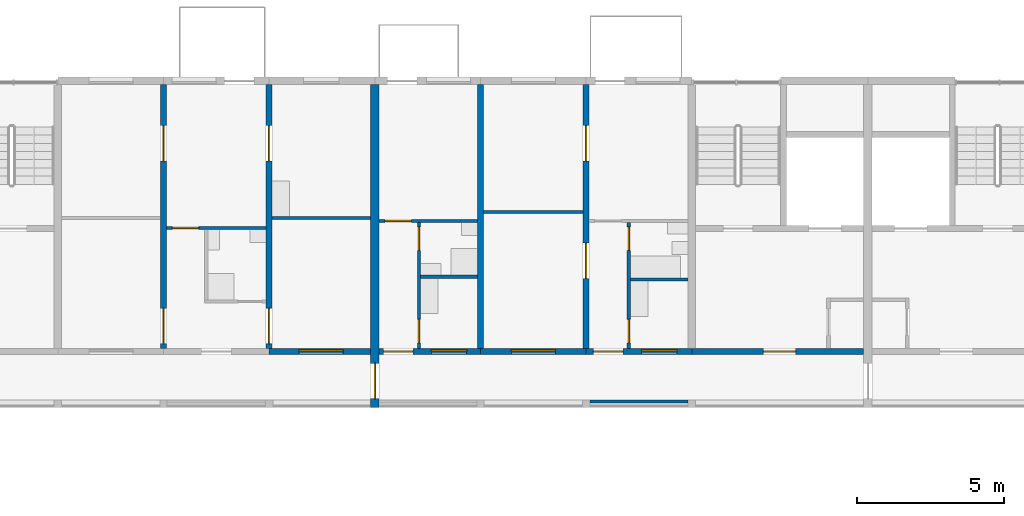
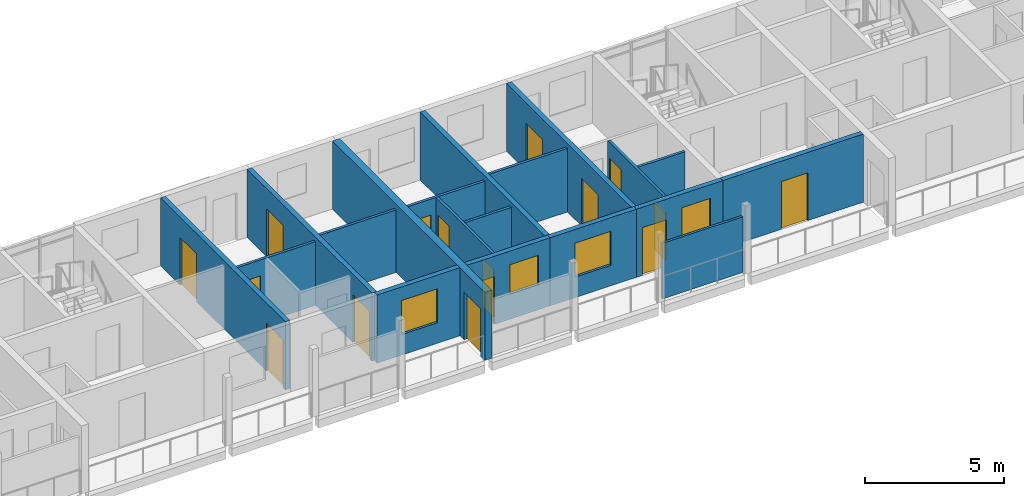
# One storey, part 56 of 93: 19 walls, 16 doors, 4 windows, 20 openings.
"""IFC4 building model written with IfcOpenShell, lengths in metres."""

from ifc_helpers import new_model, si_unit, direction, frame, frame_2d, origin, place, context, subcontext, project, spatial, rectangle, extrude, material, layer, layer_set, type_object, element, fill, save


model = new_model("IFC4")

# Units and contexts
model_context = context("Model", 3, precision=1e-05, world=origin(), true_north=direction((0.0, 1.0)))
body_context = subcontext(model_context, "Body", "Model", "MODEL_VIEW")
ifc_project = project(units=[si_unit("LENGTHUNIT", "METRE"), si_unit("AREAUNIT", "SQUARE_METRE"), si_unit("VOLUMEUNIT", "CUBIC_METRE"), si_unit("PLANEANGLEUNIT", "RADIAN"), si_unit("MASSUNIT", "GRAM", prefix="KILO")], contexts=[model_context])

# Site, building, storey
site_placement = place(None, origin())
site = spatial("IfcSite", under=ifc_project, at=site_placement, CompositionType="ELEMENT")
building_placement = place(site_placement, origin())
building = spatial("IfcBuilding", under=site, at=building_placement, Name="Ridgestep Commons", CompositionType="ELEMENT")
storey_placement = place(building_placement, frame((0.0, 0.0, 18.0)))
storey = spatial("IfcBuildingStorey", under=building, at=storey_placement, Name="L06", CompositionType="ELEMENT", Elevation=18.0)

# Wall, opening, door
ifc_material_1 = material(Name="Concrete C30/37", Category="concrete")
ifc_layer_1 = layer(ifc_material_1, 0.199951171875)
ifc_layer_set_1 = layer_set([ifc_layer_1], Name="Core south wall 200")
wall_type_1 = type_object("IfcWallType", Name="Core south wall 200", PredefinedType="SHEAR", material=ifc_layer_set_1)
wall_1_placement = place(storey_placement, frame((224.800048828125, 67.89990234375, 0.0), z_axis=(0.0, 0.0, 1.0), x_axis=(1.0, 0.0, 0.0)))
wall_1 = element("IfcWall", 1, at=wall_1_placement, inside=storey, type_object=wall_type_1, Name="Core south wall C5C L06", PredefinedType="SHEAR", context=body_context, shape_type="SweptSolid", body=[
    extrude(rectangle(XDim=5.849853515625, YDim=0.199951171875, at=frame_2d((2.9248046875, 0.0))), origin(), (0.0, 0.0, 1.0), 3.0),
])
opening_1_placement = place(wall_1_placement, frame((2.4375, 0.0, 0.0)))
opening_1 = element("IfcOpeningElement", 2, at=opening_1_placement, cuts=wall_1, Name="Opening C5C/06/1", PredefinedType="OPENING", context=body_context, shape_type="SweptSolid", body=[
    extrude(rectangle(XDim=1.10009765625, YDim=2.10009765625, at=frame_2d((0.550048828125, 1.050048828125))), frame((0.0, 0.10986328125, 0.0), z_axis=(0.0, -1.0, 0.0), x_axis=(1.0, 0.0, 0.0)), (0.0, 0.0, 1.0), 0.219970703125),
])
ifc_material_2 = material(Name="Steel fire door", Category="steel")
door_type_1 = type_object("IfcDoorType", Name="Lobby door 1100 x 2100 FD60", OperationType="NOTDEFINED", PredefinedType="DOOR", material=ifc_material_2)
door_1_placement = place(opening_1_placement, origin())
door_1 = element("IfcDoor", 3, at=door_1_placement, inside=storey, type_object=door_type_1, Name="Lobby door C5C/06/1", OperationType="SINGLE_SWING_LEFT", OverallHeight=2.10009765625, OverallWidth=1.10009765625, PredefinedType="DOOR", context=body_context, shape_type="SweptSolid", body=[
    extrude(rectangle(XDim=1.10009765625, YDim=2.10009765625, at=frame_2d((0.550048828125, 1.050048828125))), frame((0.0, 0.02490234375, 0.0), z_axis=(0.0, -1.0, 0.0), x_axis=(1.0, 0.0, 0.0)), (0.0, 0.0, 1.0), 0.050048828125),
])
fill(opening_1, door_1)

# Wall, openings, doors
ifc_material_3 = material(Name="Precast concrete C40/50", Category="concrete")
ifc_layer_2 = layer(ifc_material_3, 0.199951171875)
ifc_layer_set_2 = layer_set([ifc_layer_2], Name="Cross wall 200")
wall_type_2 = type_object("IfcWallType", Name="Cross wall 200", PredefinedType="SHEAR", material=ifc_layer_set_2)
wall_2_placement = place(storey_placement, frame((206.800048828125, 68.0, 0.0), z_axis=(0.0, 0.0, 1.0), x_axis=(0.0, 1.0, 0.0)))
wall_2 = element("IfcWall", 4, at=wall_2_placement, inside=storey, type_object=wall_type_2, Name="Cross wall C-06-2068", PredefinedType="SHEAR", context=body_context, shape_type="SweptSolid", body=[
    extrude(rectangle(XDim=9.0, YDim=0.199951171875, at=frame_2d((4.5, 0.0))), origin(), (0.0, 0.0, 1.0), 3.0),
])
opening_2_placement = place(wall_2_placement, frame((0.175048828125, 0.0, 0.0)))
opening_2 = element("IfcOpeningElement", 5, at=opening_2_placement, cuts=wall_2, Name="Opening C4-06a/4", PredefinedType="OPENING", context=body_context, shape_type="SweptSolid", body=[
    extrude(rectangle(XDim=1.199951171875, YDim=2.10009765625, at=frame_2d((0.60009765625, 1.050048828125))), frame((0.0, 0.10986328125, 0.0), z_axis=(0.0, -1.0, 0.0), x_axis=(1.0, 0.0, 0.0)), (0.0, 0.0, 1.0), 0.219970703125),
])
opening_3_placement = place(wall_2_placement, frame((6.39990234375, 0.0, 0.0)))
opening_3 = element("IfcOpeningElement", 6, at=opening_3_placement, cuts=wall_2, Name="Opening C4-06a/5", PredefinedType="OPENING", context=body_context, shape_type="SweptSolid", body=[
    extrude(rectangle(XDim=1.199951171875, YDim=2.10009765625, at=frame_2d((0.60009765625, 1.050048828125))), frame((0.0, 0.10986328125, 0.0), z_axis=(0.0, -1.0, 0.0), x_axis=(1.0, 0.0, 0.0)), (0.0, 0.0, 1.0), 0.219970703125),
])
ifc_material_4 = material(Name="Timber door leaf", Category="wood")
door_type_2 = type_object("IfcDoorType", Name="Double door 1200 x 2100", OperationType="DOUBLE_DOOR_SINGLE_SWING", PredefinedType="DOOR", material=ifc_material_4)
door_2_placement = place(opening_2_placement, origin())
door_2 = element("IfcDoor", 7, at=door_2_placement, inside=storey, type_object=door_type_2, Name="Double door C4-06a/4", OperationType="DOUBLE_DOOR_SINGLE_SWING", OverallHeight=2.10009765625, OverallWidth=1.199951171875, PredefinedType="DOOR", context=body_context, shape_type="SweptSolid", body=[
    extrude(rectangle(XDim=1.199951171875, YDim=2.10009765625, at=frame_2d((0.60009765625, 1.050048828125))), frame((0.0, 0.02490234375, 0.0), z_axis=(0.0, -1.0, 0.0), x_axis=(1.0, 0.0, 0.0)), (0.0, 0.0, 1.0), 0.050048828125),
])
fill(opening_2, door_2)
door_3_placement = place(opening_3_placement, origin())
door_3 = element("IfcDoor", 8, at=door_3_placement, inside=storey, type_object=door_type_2, Name="Double door C4-06a/5", OperationType="DOUBLE_DOOR_SINGLE_SWING", OverallHeight=2.10009765625, OverallWidth=1.199951171875, PredefinedType="DOOR", context=body_context, shape_type="SweptSolid", body=[
    extrude(rectangle(XDim=1.199951171875, YDim=2.10009765625, at=frame_2d((0.60009765625, 1.050048828125))), frame((0.0, 0.02490234375, 0.0), z_axis=(0.0, -1.0, 0.0), x_axis=(1.0, 0.0, 0.0)), (0.0, 0.0, 1.0), 0.050048828125),
])
fill(opening_3, door_3)

wall_3_placement = place(storey_placement, frame((210.39990234375, 68.0, 0.0), z_axis=(0.0, 0.0, 1.0), x_axis=(0.0, 1.0, 0.0)))
wall_3 = element("IfcWall", 9, at=wall_3_placement, inside=storey, type_object=wall_type_2, Name="Cross wall C-06-2104", PredefinedType="SHEAR", context=body_context, shape_type="SweptSolid", body=[
    extrude(rectangle(XDim=9.0, YDim=0.199951171875, at=frame_2d((4.5, 0.0))), origin(), (0.0, 0.0, 1.0), 3.0),
])
opening_4_placement = place(wall_3_placement, frame((0.175048828125, 0.0, 0.0)))
opening_4 = element("IfcOpeningElement", 10, at=opening_4_placement, cuts=wall_3, Name="Opening C4-06a/6", PredefinedType="OPENING", context=body_context, shape_type="SweptSolid", body=[
    extrude(rectangle(XDim=1.199951171875, YDim=2.10009765625, at=frame_2d((0.60009765625, 1.050048828125))), frame((0.0, 0.10986328125, 0.0), z_axis=(0.0, -1.0, 0.0), x_axis=(1.0, 0.0, 0.0)), (0.0, 0.0, 1.0), 0.219970703125),
])
opening_5_placement = place(wall_3_placement, frame((6.39990234375, 0.0, 0.0)))
opening_5 = element("IfcOpeningElement", 11, at=opening_5_placement, cuts=wall_3, Name="Opening C4-06a/7", PredefinedType="OPENING", context=body_context, shape_type="SweptSolid", body=[
    extrude(rectangle(XDim=1.199951171875, YDim=2.10009765625, at=frame_2d((0.60009765625, 1.050048828125))), frame((0.0, 0.10986328125, 0.0), z_axis=(0.0, -1.0, 0.0), x_axis=(1.0, 0.0, 0.0)), (0.0, 0.0, 1.0), 0.219970703125),
])
door_4_placement = place(opening_4_placement, origin())
door_4 = element("IfcDoor", 12, at=door_4_placement, inside=storey, type_object=door_type_2, Name="Double door C4-06a/6", OperationType="DOUBLE_DOOR_SINGLE_SWING", OverallHeight=2.10009765625, OverallWidth=1.199951171875, PredefinedType="DOOR", context=body_context, shape_type="SweptSolid", body=[
    extrude(rectangle(XDim=1.199951171875, YDim=2.10009765625, at=frame_2d((0.60009765625, 1.050048828125))), frame((0.0, 0.02490234375, 0.0), z_axis=(0.0, -1.0, 0.0), x_axis=(1.0, 0.0, 0.0)), (0.0, 0.0, 1.0), 0.050048828125),
])
fill(opening_4, door_4)
door_5_placement = place(opening_5_placement, origin())
door_5 = element("IfcDoor", 13, at=door_5_placement, inside=storey, type_object=door_type_2, Name="Double door C4-06a/7", OperationType="DOUBLE_DOOR_SINGLE_SWING", OverallHeight=2.10009765625, OverallWidth=1.199951171875, PredefinedType="DOOR", context=body_context, shape_type="SweptSolid", body=[
    extrude(rectangle(XDim=1.199951171875, YDim=2.10009765625, at=frame_2d((0.60009765625, 1.050048828125))), frame((0.0, 0.02490234375, 0.0), z_axis=(0.0, -1.0, 0.0), x_axis=(1.0, 0.0, 0.0)), (0.0, 0.0, 1.0), 0.050048828125),
])
fill(opening_5, door_5)

# Wall
wall_4_placement = place(storey_placement, frame((217.60009765625, 68.0, 0.0), z_axis=(0.0, 0.0, 1.0), x_axis=(0.0, 1.0, 0.0)))
element("IfcWall", 14, at=wall_4_placement, inside=storey, type_object=wall_type_2, Name="Cross wall C-06-2176", PredefinedType="SHEAR", context=body_context, shape_type="SweptSolid", body=[
    extrude(rectangle(XDim=9.0, YDim=0.199951171875, at=frame_2d((4.5, 0.0))), origin(), (0.0, 0.0, 1.0), 3.0),
])

# Wall, openings, doors
wall_5_placement = place(storey_placement, frame((221.199951171875, 68.0, 0.0), z_axis=(0.0, 0.0, 1.0), x_axis=(0.0, 1.0, 0.0)))
wall_5 = element("IfcWall", 15, at=wall_5_placement, inside=storey, type_object=wall_type_2, Name="Cross wall C-06-2212", PredefinedType="SHEAR", context=body_context, shape_type="SweptSolid", body=[
    extrude(rectangle(XDim=9.0, YDim=0.199951171875, at=frame_2d((4.5, 0.0))), origin(), (0.0, 0.0, 1.0), 3.0),
])
opening_6_placement = place(wall_5_placement, frame((2.39990234375, 0.0, 0.0)))
opening_6 = element("IfcOpeningElement", 16, at=opening_6_placement, cuts=wall_5, Name="Opening C5-06b/5", PredefinedType="OPENING", context=body_context, shape_type="SweptSolid", body=[
    extrude(rectangle(XDim=1.199951171875, YDim=2.10009765625, at=frame_2d((0.60009765625, 1.050048828125))), frame((0.0, 0.10986328125, 0.0), z_axis=(0.0, -1.0, 0.0), x_axis=(1.0, 0.0, 0.0)), (0.0, 0.0, 1.0), 0.219970703125),
])
opening_7_placement = place(wall_5_placement, frame((6.39990234375, 0.0, 0.0)))
opening_7 = element("IfcOpeningElement", 17, at=opening_7_placement, cuts=wall_5, Name="Opening C5-06b/6", PredefinedType="OPENING", context=body_context, shape_type="SweptSolid", body=[
    extrude(rectangle(XDim=1.199951171875, YDim=2.10009765625, at=frame_2d((0.60009765625, 1.050048828125))), frame((0.0, 0.10986328125, 0.0), z_axis=(0.0, -1.0, 0.0), x_axis=(1.0, 0.0, 0.0)), (0.0, 0.0, 1.0), 0.219970703125),
])
door_6_placement = place(opening_6_placement, origin())
door_6 = element("IfcDoor", 18, at=door_6_placement, inside=storey, type_object=door_type_2, Name="Double door C5-06b/5", OperationType="DOUBLE_DOOR_SINGLE_SWING", OverallHeight=2.10009765625, OverallWidth=1.199951171875, PredefinedType="DOOR", context=body_context, shape_type="SweptSolid", body=[
    extrude(rectangle(XDim=1.199951171875, YDim=2.10009765625, at=frame_2d((0.60009765625, 1.050048828125))), frame((0.0, 0.02490234375, 0.0), z_axis=(0.0, -1.0, 0.0), x_axis=(1.0, 0.0, 0.0)), (0.0, 0.0, 1.0), 0.050048828125),
])
fill(opening_6, door_6)
door_7_placement = place(opening_7_placement, origin())
door_7 = element("IfcDoor", 19, at=door_7_placement, inside=storey, type_object=door_type_2, Name="Double door C5-06b/6", OperationType="DOUBLE_DOOR_SINGLE_SWING", OverallHeight=2.10009765625, OverallWidth=1.199951171875, PredefinedType="DOOR", context=body_context, shape_type="SweptSolid", body=[
    extrude(rectangle(XDim=1.199951171875, YDim=2.10009765625, at=frame_2d((0.60009765625, 1.050048828125))), frame((0.0, 0.02490234375, 0.0), z_axis=(0.0, -1.0, 0.0), x_axis=(1.0, 0.0, 0.0)), (0.0, 0.0, 1.0), 0.050048828125),
])
fill(opening_7, door_7)

# Wall, opening, door
ifc_material_5 = material(Name="Precast concrete C40/50", Category="concrete")
ifc_layer_3 = layer(ifc_material_5, 0.300048828125)
ifc_layer_set_3 = layer_set([ifc_layer_3], Name="Division wall 300")
wall_type_3 = type_object("IfcWallType", Name="Division wall 300", PredefinedType="SHEAR", material=ifc_layer_set_3)
wall_6_placement = place(storey_placement, frame((214.0, 66.0, 0.0), z_axis=(0.0, 0.0, 1.0), x_axis=(0.0, 1.0, 0.0)))
wall_6 = element("IfcWall", 20, at=wall_6_placement, inside=storey, type_object=wall_type_3, Name="Cross wall C-06-2140", PredefinedType="SHEAR", context=body_context, shape_type="SweptSolid", body=[
    extrude(rectangle(XDim=11.0, YDim=0.300048828125, at=frame_2d((5.5, 0.0))), origin(), (0.0, 0.0, 1.0), 3.0),
])
opening_8_placement = place(wall_6_placement, frame((0.300048828125, 0.0, 0.0)))
opening_8 = element("IfcOpeningElement", 21, at=opening_8_placement, cuts=wall_6, Name="Opening C/06/G2140", PredefinedType="OPENING", context=body_context, shape_type="SweptSolid", body=[
    extrude(rectangle(XDim=1.199951171875, YDim=2.10009765625, at=frame_2d((0.60009765625, 1.050048828125))), frame((0.0, 0.159912109375, 0.0), z_axis=(0.0, -1.0, 0.0), x_axis=(1.0, 0.0, 0.0)), (0.0, 0.0, 1.0), 0.320068359375),
])
ifc_material_6 = material(Name="Steel fire door", Category="steel")
door_type_3 = type_object("IfcDoorType", Name="Division fire door 1200 x 2100 EI 240", OperationType="DOUBLE_DOOR_SINGLE_SWING", PredefinedType="DOOR", material=ifc_material_6)
door_8_placement = place(opening_8_placement, origin())
door_8 = element("IfcDoor", 22, at=door_8_placement, inside=storey, type_object=door_type_3, Name="Division fire door C/06/G2140", OperationType="DOUBLE_DOOR_SINGLE_SWING", OverallHeight=2.10009765625, OverallWidth=1.199951171875, PredefinedType="DOOR", context=body_context, shape_type="SweptSolid", body=[
    extrude(rectangle(XDim=1.199951171875, YDim=2.10009765625, at=frame_2d((0.60009765625, 1.050048828125))), frame((0.0, 0.02490234375, 0.0), z_axis=(0.0, -1.0, 0.0), x_axis=(1.0, 0.0, 0.0)), (0.0, 0.0, 1.0), 0.050048828125),
])
fill(opening_8, door_8)

ifc_material_7 = material(Name="Common brick 110 mm", Category="masonry")
ifc_layer_4 = layer(ifc_material_7, 0.110107421875)
ifc_layer_set_4 = layer_set([ifc_layer_4], Name="Partition 110")
wall_type_4 = type_object("IfcWallType", Name="Partition 110", PredefinedType="PARTITIONING", material=ifc_layer_set_4)
wall_7_placement = place(storey_placement, frame((206.89990234375, 72.114990234375, 0.0), z_axis=(0.0, 0.0, 1.0), x_axis=(1.0, 0.0, 0.0)))
wall_7 = element("IfcWall", 23, at=wall_7_placement, inside=storey, type_object=wall_type_4, Name="Partition C4-06a", PredefinedType="PARTITIONING", context=body_context, shape_type="SweptSolid", body=[
    extrude(rectangle(XDim=3.400146484375, YDim=0.110107421875, at=frame_2d((1.7001953125, 0.0))), origin(), (0.0, 0.0, 1.0), 2.800048828125),
])
opening_9_placement = place(wall_7_placement, frame((0.199951171875, 0.0, 0.0)))
opening_9 = element("IfcOpeningElement", 24, at=opening_9_placement, cuts=wall_7, Name="Opening C4-06a/3", PredefinedType="OPENING", context=body_context, shape_type="SweptSolid", body=[
    extrude(rectangle(XDim=0.89990234375, YDim=2.10009765625, at=frame_2d((0.449951171875, 1.050048828125))), frame((0.0, 0.06494140625, 0.0), z_axis=(0.0, -1.0, 0.0), x_axis=(1.0, 0.0, 0.0)), (0.0, 0.0, 1.0), 0.130126953125),
])
ifc_material_8 = material(Name="Timber door leaf", Category="wood")
door_type_4 = type_object("IfcDoorType", Name="Internal door 900 x 2100", OperationType="NOTDEFINED", PredefinedType="DOOR", material=ifc_material_8)
door_9_placement = place(opening_9_placement, origin())
door_9 = element("IfcDoor", 25, at=door_9_placement, inside=storey, type_object=door_type_4, Name="Internal door C4-06a/3", OperationType="SINGLE_SWING_LEFT", OverallHeight=2.10009765625, OverallWidth=0.89990234375, PredefinedType="DOOR", context=body_context, shape_type="SweptSolid", body=[
    extrude(rectangle(XDim=0.89990234375, YDim=2.10009765625, at=frame_2d((0.449951171875, 1.050048828125))), frame((0.0, 0.02490234375, 0.0), z_axis=(0.0, -1.0, 0.0), x_axis=(1.0, 0.0, 0.0)), (0.0, 0.0, 1.0), 0.050048828125),
])
fill(opening_9, door_9)

# Wall
wall_8_placement = place(storey_placement, frame((210.5, 72.455078125, 0.0), z_axis=(0.0, 0.0, 1.0), x_axis=(1.0, 0.0, 0.0)))
element("IfcWall", 26, at=wall_8_placement, inside=storey, type_object=wall_type_4, Name="Partition C4-06a", PredefinedType="PARTITIONING", context=body_context, shape_type="SweptSolid", body=[
    extrude(rectangle(XDim=3.35009765625, YDim=0.110107421875, at=frame_2d((1.675048828125, 0.0))), origin(), (0.0, 0.0, 1.0), 2.75),
])

# Wall, openings, doors
wall_9_placement = place(storey_placement, frame((215.5048828125, 68.0, 0.0), z_axis=(0.0, 0.0, 1.0), x_axis=(0.0, 1.0, 0.0)))
wall_9 = element("IfcWall", 27, at=wall_9_placement, inside=storey, type_object=wall_type_4, Name="Partition C5-06a", PredefinedType="PARTITIONING", context=body_context, shape_type="SweptSolid", body=[
    extrude(rectangle(XDim=4.300048828125, YDim=0.110107421875, at=frame_2d((2.14990234375, 0.0))), origin(), (0.0, 0.0, 1.0), 2.800048828125),
])
opening_10_placement = place(wall_9_placement, frame((0.199951171875, 0.0, 0.0)))
opening_10 = element("IfcOpeningElement", 28, at=opening_10_placement, cuts=wall_9, Name="Opening C5-06a/2", PredefinedType="OPENING", context=body_context, shape_type="SweptSolid", body=[
    extrude(rectangle(XDim=0.800048828125, YDim=2.10009765625, at=frame_2d((0.39990234375, 1.050048828125))), frame((0.0, 0.06494140625, 0.0), z_axis=(0.0, -1.0, 0.0), x_axis=(1.0, 0.0, 0.0)), (0.0, 0.0, 1.0), 0.130126953125),
])
opening_11_placement = place(wall_9_placement, frame((3.35009765625, 0.0, 0.0)))
opening_11 = element("IfcOpeningElement", 29, at=opening_11_placement, cuts=wall_9, Name="Opening C5-06a/3", PredefinedType="OPENING", context=body_context, shape_type="SweptSolid", body=[
    extrude(rectangle(XDim=0.800048828125, YDim=2.10009765625, at=frame_2d((0.39990234375, 1.050048828125))), frame((0.0, 0.06494140625, 0.0), z_axis=(0.0, -1.0, 0.0), x_axis=(1.0, 0.0, 0.0)), (0.0, 0.0, 1.0), 0.130126953125),
])
ifc_material_9 = material(Name="Timber door leaf", Category="wood")
door_type_5 = type_object("IfcDoorType", Name="Internal door 800 x 2100", OperationType="NOTDEFINED", PredefinedType="DOOR", material=ifc_material_9)
door_10_placement = place(opening_10_placement, origin())
door_10 = element("IfcDoor", 30, at=door_10_placement, inside=storey, type_object=door_type_5, Name="Internal door C5-06a/2", OperationType="SINGLE_SWING_RIGHT", OverallHeight=2.10009765625, OverallWidth=0.800048828125, PredefinedType="DOOR", context=body_context, shape_type="SweptSolid", body=[
    extrude(rectangle(XDim=0.800048828125, YDim=2.10009765625, at=frame_2d((0.39990234375, 1.050048828125))), frame((0.0, 0.02490234375, 0.0), z_axis=(0.0, -1.0, 0.0), x_axis=(1.0, 0.0, 0.0)), (0.0, 0.0, 1.0), 0.050048828125),
])
fill(opening_10, door_10)
door_11_placement = place(opening_11_placement, origin())
door_11 = element("IfcDoor", 31, at=door_11_placement, inside=storey, type_object=door_type_5, Name="Internal door C5-06a/3", OperationType="SINGLE_SWING_LEFT", OverallHeight=2.10009765625, OverallWidth=0.800048828125, PredefinedType="DOOR", context=body_context, shape_type="SweptSolid", body=[
    extrude(rectangle(XDim=0.800048828125, YDim=2.10009765625, at=frame_2d((0.39990234375, 1.050048828125))), frame((0.0, 0.02490234375, 0.0), z_axis=(0.0, -1.0, 0.0), x_axis=(1.0, 0.0, 0.0)), (0.0, 0.0, 1.0), 0.050048828125),
])
fill(opening_11, door_11)

# Wall
wall_10_placement = place(storey_placement, frame((215.56005859375, 70.455078125, 0.0), z_axis=(0.0, 0.0, 1.0), x_axis=(1.0, 0.0, 0.0)))
element("IfcWall", 32, at=wall_10_placement, inside=storey, type_object=wall_type_4, Name="Partition C5-06a", PredefinedType="PARTITIONING", context=body_context, shape_type="SweptSolid", body=[
    extrude(rectangle(XDim=1.93994140625, YDim=0.110107421875, at=frame_2d((0.969970703125, 0.0))), origin(), (0.0, 0.0, 1.0), 2.800048828125),
])

# Wall, opening, door
wall_11_placement = place(storey_placement, frame((214.14990234375, 72.35498046875, 0.0), z_axis=(0.0, 0.0, 1.0), x_axis=(1.0, 0.0, 0.0)))
wall_11 = element("IfcWall", 33, at=wall_11_placement, inside=storey, type_object=wall_type_4, Name="Partition C5-06a", PredefinedType="PARTITIONING", context=body_context, shape_type="SweptSolid", body=[
    extrude(rectangle(XDim=3.35009765625, YDim=0.110107421875, at=frame_2d((1.675048828125, 0.0))), origin(), (0.0, 0.0, 1.0), 2.800048828125),
])
opening_12_placement = place(wall_11_placement, frame((0.199951171875, 0.0, 0.0)))
opening_12 = element("IfcOpeningElement", 34, at=opening_12_placement, cuts=wall_11, Name="Opening C5-06a/4", PredefinedType="OPENING", context=body_context, shape_type="SweptSolid", body=[
    extrude(rectangle(XDim=0.89990234375, YDim=2.10009765625, at=frame_2d((0.449951171875, 1.050048828125))), frame((0.0, 0.06494140625, 0.0), z_axis=(0.0, -1.0, 0.0), x_axis=(1.0, 0.0, 0.0)), (0.0, 0.0, 1.0), 0.130126953125),
])
door_12_placement = place(opening_12_placement, origin())
door_12 = element("IfcDoor", 35, at=door_12_placement, inside=storey, type_object=door_type_4, Name="Internal door C5-06a/4", OperationType="SINGLE_SWING_LEFT", OverallHeight=2.10009765625, OverallWidth=0.89990234375, PredefinedType="DOOR", context=body_context, shape_type="SweptSolid", body=[
    extrude(rectangle(XDim=0.89990234375, YDim=2.10009765625, at=frame_2d((0.449951171875, 1.050048828125))), frame((0.0, 0.02490234375, 0.0), z_axis=(0.0, -1.0, 0.0), x_axis=(1.0, 0.0, 0.0)), (0.0, 0.0, 1.0), 0.050048828125),
])
fill(opening_12, door_12)

# Wall, openings, doors
wall_12_placement = place(storey_placement, frame((222.655029296875, 68.0, 0.0), z_axis=(0.0, 0.0, 1.0), x_axis=(0.0, 1.0, 0.0)))
wall_12 = element("IfcWall", 36, at=wall_12_placement, inside=storey, type_object=wall_type_4, Name="Partition C5-06b", PredefinedType="PARTITIONING", context=body_context, shape_type="SweptSolid", body=[
    extrude(rectangle(XDim=4.300048828125, YDim=0.110107421875, at=frame_2d((2.14990234375, 0.0))), origin(), (0.0, 0.0, 1.0), 2.800048828125),
])
opening_13_placement = place(wall_12_placement, frame((0.199951171875, 0.0, 0.0)))
opening_13 = element("IfcOpeningElement", 37, at=opening_13_placement, cuts=wall_12, Name="Opening C5-06b/2", PredefinedType="OPENING", context=body_context, shape_type="SweptSolid", body=[
    extrude(rectangle(XDim=0.800048828125, YDim=2.10009765625, at=frame_2d((0.39990234375, 1.050048828125))), frame((0.0, 0.06494140625, 0.0), z_axis=(0.0, -1.0, 0.0), x_axis=(1.0, 0.0, 0.0)), (0.0, 0.0, 1.0), 0.130126953125),
])
opening_14_placement = place(wall_12_placement, frame((3.35009765625, 0.0, 0.0)))
opening_14 = element("IfcOpeningElement", 38, at=opening_14_placement, cuts=wall_12, Name="Opening C5-06b/3", PredefinedType="OPENING", context=body_context, shape_type="SweptSolid", body=[
    extrude(rectangle(XDim=0.800048828125, YDim=2.10009765625, at=frame_2d((0.39990234375, 1.050048828125))), frame((0.0, 0.06494140625, 0.0), z_axis=(0.0, -1.0, 0.0), x_axis=(1.0, 0.0, 0.0)), (0.0, 0.0, 1.0), 0.130126953125),
])
door_13_placement = place(opening_13_placement, origin())
door_13 = element("IfcDoor", 39, at=door_13_placement, inside=storey, type_object=door_type_5, Name="Internal door C5-06b/2", OperationType="SINGLE_SWING_RIGHT", OverallHeight=2.10009765625, OverallWidth=0.800048828125, PredefinedType="DOOR", context=body_context, shape_type="SweptSolid", body=[
    extrude(rectangle(XDim=0.800048828125, YDim=2.10009765625, at=frame_2d((0.39990234375, 1.050048828125))), frame((0.0, 0.02490234375, 0.0), z_axis=(0.0, -1.0, 0.0), x_axis=(1.0, 0.0, 0.0)), (0.0, 0.0, 1.0), 0.050048828125),
])
fill(opening_13, door_13)
door_14_placement = place(opening_14_placement, origin())
door_14 = element("IfcDoor", 40, at=door_14_placement, inside=storey, type_object=door_type_5, Name="Internal door C5-06b/3", OperationType="SINGLE_SWING_LEFT", OverallHeight=2.10009765625, OverallWidth=0.800048828125, PredefinedType="DOOR", context=body_context, shape_type="SweptSolid", body=[
    extrude(rectangle(XDim=0.800048828125, YDim=2.10009765625, at=frame_2d((0.39990234375, 1.050048828125))), frame((0.0, 0.02490234375, 0.0), z_axis=(0.0, -1.0, 0.0), x_axis=(1.0, 0.0, 0.0)), (0.0, 0.0, 1.0), 0.050048828125),
])
fill(opening_14, door_14)

# Walls
wall_13_placement = place(storey_placement, frame((222.7099609375, 70.35498046875, 0.0), z_axis=(0.0, 0.0, 1.0), x_axis=(1.0, 0.0, 0.0)))
element("IfcWall", 41, at=wall_13_placement, inside=storey, type_object=wall_type_4, Name="Partition C5-06b", PredefinedType="PARTITIONING", context=body_context, shape_type="SweptSolid", body=[
    extrude(rectangle(XDim=1.965087890625, YDim=0.110107421875, at=frame_2d((0.982421875, 0.0))), origin(), (0.0, 0.0, 1.0), 2.800048828125),
])
wall_14_placement = place(storey_placement, frame((217.699951171875, 72.655029296875, 0.0), z_axis=(0.0, 0.0, 1.0), x_axis=(1.0, 0.0, 0.0)))
element("IfcWall", 42, at=wall_14_placement, inside=storey, type_object=wall_type_4, Name="Partition C5-06b", PredefinedType="PARTITIONING", context=body_context, shape_type="SweptSolid", body=[
    extrude(rectangle(XDim=3.400146484375, YDim=0.110107421875, at=frame_2d((1.7001953125, 0.0))), origin(), (0.0, 0.0, 1.0), 2.800048828125),
])
ifc_material_10 = material(Name="Precast concrete C30/37", Category="concrete")
ifc_layer_5 = layer(ifc_material_10, 0.10009765625)
ifc_layer_set_5 = layer_set([ifc_layer_5], Name="Perforated gallery screen 3350 x 2450 x 100")
wall_type_5 = type_object("IfcWallType", Name="Perforated gallery screen 3350 x 2450 x 100", PredefinedType="SOLIDWALL", material=ifc_layer_set_5)
wall_15_placement = place(storey_placement, frame((221.324951171875, 66.199951171875, 0.0), z_axis=(0.0, 0.0, 1.0), x_axis=(1.0, 0.0, 0.0)))
element("IfcWall", 43, at=wall_15_placement, inside=storey, type_object=wall_type_5, Name="Gallery screen C5T3 06", PredefinedType="SOLIDWALL", context=body_context, shape_type="SweptSolid", body=[
    extrude(rectangle(XDim=3.35009765625, YDim=0.10009765625, at=frame_2d((1.675048828125, 0.0))), origin(), (0.0, 0.0, 1.0), 2.449951171875),
])

# Wall, opening, window
ifc_material_11 = material(Name="Precast concrete C40/50", Category="concrete")
ifc_layer_6 = layer(ifc_material_11, 0.199951171875)
ifc_layer_set_6 = layer_set([ifc_layer_6], Name="South facade panel 200")
wall_type_6 = type_object("IfcWallType", Name="South facade panel 200", PredefinedType="SOLIDWALL", material=ifc_layer_set_6)
wall_16_placement = place(storey_placement, frame((210.39990234375, 67.89990234375, 0.0), z_axis=(0.0, 0.0, 1.0), x_axis=(1.0, 0.0, 0.0)))
wall_16 = element("IfcWall", 44, at=wall_16_placement, inside=storey, type_object=wall_type_6, Name="South panel C4T1 L06", PredefinedType="SOLIDWALL", context=body_context, shape_type="SweptSolid", body=[
    extrude(rectangle(XDim=3.4501953125, YDim=0.199951171875, at=frame_2d((1.72509765625, 0.0))), origin(), (0.0, 0.0, 1.0), 3.0),
])
opening_15_placement = place(wall_16_placement, frame((1.02490234375, 0.0, 0.89990234375)))
opening_15 = element("IfcOpeningElement", 45, at=opening_15_placement, cuts=wall_16, Name="Opening W16", PredefinedType="OPENING", context=body_context, shape_type="SweptSolid", body=[
    extrude(rectangle(XDim=1.5, YDim=1.5, at=frame_2d((0.75, 0.75))), frame((0.0, 0.10986328125, 0.0), z_axis=(0.0, -1.0, 0.0), x_axis=(1.0, 0.0, 0.0)), (0.0, 0.0, 1.0), 0.219970703125),
])
ifc_material_12 = material(Name="Aluminium 6063-T6 and glass", Category="aluminium")
window_type_1 = type_object("IfcWindowType", Name="Flat window 1500 x 1500", PartitioningType="DOUBLE_PANEL_VERTICAL", PredefinedType="WINDOW", material=ifc_material_12)
window_1_placement = place(opening_15_placement, origin())
window_1 = element("IfcWindow", 46, at=window_1_placement, inside=storey, type_object=window_type_1, Name="Window C4-06a 3", OverallHeight=1.5, OverallWidth=1.5, PartitioningType="SINGLE_PANEL", PredefinedType="WINDOW", context=body_context, shape_type="SweptSolid", body=[
    extrude(rectangle(XDim=1.5, YDim=1.5, at=frame_2d((0.75, 0.75))), frame((0.0, 0.06005859375, 0.0), z_axis=(0.0, -1.0, 0.0), x_axis=(1.0, 0.0, 0.0)), (0.0, 0.0, 1.0), 0.06005859375),
])
fill(opening_15, window_1)

# Wall, openings, door, window
wall_17_placement = place(storey_placement, frame((214.14990234375, 67.89990234375, 0.0), z_axis=(0.0, 0.0, 1.0), x_axis=(1.0, 0.0, 0.0)))
wall_17 = element("IfcWall", 47, at=wall_17_placement, inside=storey, type_object=wall_type_6, Name="South panel C5T1 L06", PredefinedType="SOLIDWALL", context=body_context, shape_type="SweptSolid", body=[
    extrude(rectangle(XDim=3.4501953125, YDim=0.199951171875, at=frame_2d((1.72509765625, 0.0))), origin(), (0.0, 0.0, 1.0), 3.0),
])
opening_16_placement = place(wall_17_placement, frame((1.780029296875, 0.0, 1.10009765625)))
opening_16 = element("IfcOpeningElement", 48, at=opening_16_placement, cuts=wall_17, Name="Opening W08", PredefinedType="OPENING", context=body_context, shape_type="SweptSolid", body=[
    extrude(rectangle(XDim=1.199951171875, YDim=1.300048828125, at=frame_2d((0.60009765625, 0.64990234375))), frame((0.0, 0.10986328125, 0.0), z_axis=(0.0, -1.0, 0.0), x_axis=(1.0, 0.0, 0.0)), (0.0, 0.0, 1.0), 0.219970703125),
])
opening_17_placement = place(wall_17_placement, frame((0.14990234375, 0.0, 0.0)))
opening_17 = element("IfcOpeningElement", 49, at=opening_17_placement, cuts=wall_17, Name="Opening C5-06a/1", PredefinedType="OPENING", context=body_context, shape_type="SweptSolid", body=[
    extrude(rectangle(XDim=1.0, YDim=2.10009765625, at=frame_2d((0.5, 1.050048828125))), frame((0.0, 0.10986328125, 0.0), z_axis=(0.0, -1.0, 0.0), x_axis=(1.0, 0.0, 0.0)), (0.0, 0.0, 1.0), 0.219970703125),
])
ifc_material_13 = material(Name="Timber door leaf", Category="wood")
door_type_6 = type_object("IfcDoorType", Name="Flat entrance door 1000 x 2100 FD30S", OperationType="NOTDEFINED", PredefinedType="DOOR", material=ifc_material_13)
door_15_placement = place(opening_17_placement, origin())
door_15 = element("IfcDoor", 50, at=door_15_placement, inside=storey, type_object=door_type_6, Name="Flat entrance door C5-06a/1", OperationType="SINGLE_SWING_LEFT", OverallHeight=2.10009765625, OverallWidth=1.0, PredefinedType="DOOR", context=body_context, shape_type="SweptSolid", body=[
    extrude(rectangle(XDim=1.0, YDim=2.10009765625, at=frame_2d((0.5, 1.050048828125))), frame((0.0, 0.02490234375, 0.0), z_axis=(0.0, -1.0, 0.0), x_axis=(1.0, 0.0, 0.0)), (0.0, 0.0, 1.0), 0.050048828125),
])
fill(opening_17, door_15)
ifc_material_14 = material(Name="Aluminium 6063-T6 and glass", Category="aluminium")
window_type_2 = type_object("IfcWindowType", Name="Flat window 1200 x 1300", PartitioningType="SINGLE_PANEL", PredefinedType="WINDOW", material=ifc_material_14)
window_2_placement = place(opening_16_placement, origin())
window_2 = element("IfcWindow", 51, at=window_2_placement, inside=storey, type_object=window_type_2, Name="Window C5-06a 1", OverallHeight=1.300048828125, OverallWidth=1.199951171875, PartitioningType="SINGLE_PANEL", PredefinedType="WINDOW", context=body_context, shape_type="SweptSolid", body=[
    extrude(rectangle(XDim=1.199951171875, YDim=1.300048828125, at=frame_2d((0.60009765625, 0.64990234375))), frame((0.0, 0.06005859375, 0.0), z_axis=(0.0, -1.0, 0.0), x_axis=(1.0, 0.0, 0.0)), (0.0, 0.0, 1.0), 0.06005859375),
])
fill(opening_16, window_2)

# Wall, opening, window
wall_18_placement = place(storey_placement, frame((217.60009765625, 67.89990234375, 0.0), z_axis=(0.0, 0.0, 1.0), x_axis=(1.0, 0.0, 0.0)))
wall_18 = element("IfcWall", 52, at=wall_18_placement, inside=storey, type_object=wall_type_6, Name="South panel C5T2 L06", PredefinedType="SOLIDWALL", context=body_context, shape_type="SweptSolid", body=[
    extrude(rectangle(XDim=3.599853515625, YDim=0.199951171875, at=frame_2d((1.7998046875, 0.0))), origin(), (0.0, 0.0, 1.0), 3.0),
])
opening_18_placement = place(wall_18_placement, frame((1.050048828125, 0.0, 0.89990234375)))
opening_18 = element("IfcOpeningElement", 53, at=opening_18_placement, cuts=wall_18, Name="Opening W16", PredefinedType="OPENING", context=body_context, shape_type="SweptSolid", body=[
    extrude(rectangle(XDim=1.5, YDim=1.5, at=frame_2d((0.75, 0.75))), frame((0.0, 0.10986328125, 0.0), z_axis=(0.0, -1.0, 0.0), x_axis=(1.0, 0.0, 0.0)), (0.0, 0.0, 1.0), 0.219970703125),
])
window_3_placement = place(opening_18_placement, origin())
window_3 = element("IfcWindow", 54, at=window_3_placement, inside=storey, type_object=window_type_1, Name="Window C5-06b 1", OverallHeight=1.5, OverallWidth=1.5, PartitioningType="SINGLE_PANEL", PredefinedType="WINDOW", context=body_context, shape_type="SweptSolid", body=[
    extrude(rectangle(XDim=1.5, YDim=1.5, at=frame_2d((0.75, 0.75))), frame((0.0, 0.06005859375, 0.0), z_axis=(0.0, -1.0, 0.0), x_axis=(1.0, 0.0, 0.0)), (0.0, 0.0, 1.0), 0.06005859375),
])
fill(opening_18, window_3)

# Wall, openings, door, window
wall_19_placement = place(storey_placement, frame((221.199951171875, 67.89990234375, 0.0), z_axis=(0.0, 0.0, 1.0), x_axis=(1.0, 0.0, 0.0)))
wall_19 = element("IfcWall", 55, at=wall_19_placement, inside=storey, type_object=wall_type_6, Name="South panel C5T3 L06", PredefinedType="SOLIDWALL", context=body_context, shape_type="SweptSolid", body=[
    extrude(rectangle(XDim=3.60009765625, YDim=0.199951171875, at=frame_2d((1.800048828125, 0.0))), origin(), (0.0, 0.0, 1.0), 3.0),
])
opening_19_placement = place(wall_19_placement, frame((1.892578125, 0.0, 1.10009765625)))
opening_19 = element("IfcOpeningElement", 56, at=opening_19_placement, cuts=wall_19, Name="Opening W08", PredefinedType="OPENING", context=body_context, shape_type="SweptSolid", body=[
    extrude(rectangle(XDim=1.199951171875, YDim=1.300048828125, at=frame_2d((0.60009765625, 0.64990234375))), frame((0.0, 0.10986328125, 0.0), z_axis=(0.0, -1.0, 0.0), x_axis=(1.0, 0.0, 0.0)), (0.0, 0.0, 1.0), 0.219970703125),
])
opening_20_placement = place(wall_19_placement, frame((0.25, 0.0, 0.0)))
opening_20 = element("IfcOpeningElement", 57, at=opening_20_placement, cuts=wall_19, Name="Opening C5-06b/1", PredefinedType="OPENING", context=body_context, shape_type="SweptSolid", body=[
    extrude(rectangle(XDim=1.0, YDim=2.10009765625, at=frame_2d((0.5, 1.050048828125))), frame((0.0, 0.10986328125, 0.0), z_axis=(0.0, -1.0, 0.0), x_axis=(1.0, 0.0, 0.0)), (0.0, 0.0, 1.0), 0.219970703125),
])
door_16_placement = place(opening_20_placement, origin())
door_16 = element("IfcDoor", 58, at=door_16_placement, inside=storey, type_object=door_type_6, Name="Flat entrance door C5-06b/1", OperationType="SINGLE_SWING_LEFT", OverallHeight=2.10009765625, OverallWidth=1.0, PredefinedType="DOOR", context=body_context, shape_type="SweptSolid", body=[
    extrude(rectangle(XDim=1.0, YDim=2.10009765625, at=frame_2d((0.5, 1.050048828125))), frame((0.0, 0.02490234375, 0.0), z_axis=(0.0, -1.0, 0.0), x_axis=(1.0, 0.0, 0.0)), (0.0, 0.0, 1.0), 0.050048828125),
])
fill(opening_20, door_16)
window_4_placement = place(opening_19_placement, origin())
window_4 = element("IfcWindow", 59, at=window_4_placement, inside=storey, type_object=window_type_2, Name="Window C5-06b 3", OverallHeight=1.300048828125, OverallWidth=1.199951171875, PartitioningType="SINGLE_PANEL", PredefinedType="WINDOW", context=body_context, shape_type="SweptSolid", body=[
    extrude(rectangle(XDim=1.199951171875, YDim=1.300048828125, at=frame_2d((0.60009765625, 0.64990234375))), frame((0.0, 0.06005859375, 0.0), z_axis=(0.0, -1.0, 0.0), x_axis=(1.0, 0.0, 0.0)), (0.0, 0.0, 1.0), 0.06005859375),
])
fill(opening_19, window_4)

save(model, "model.ifc")
